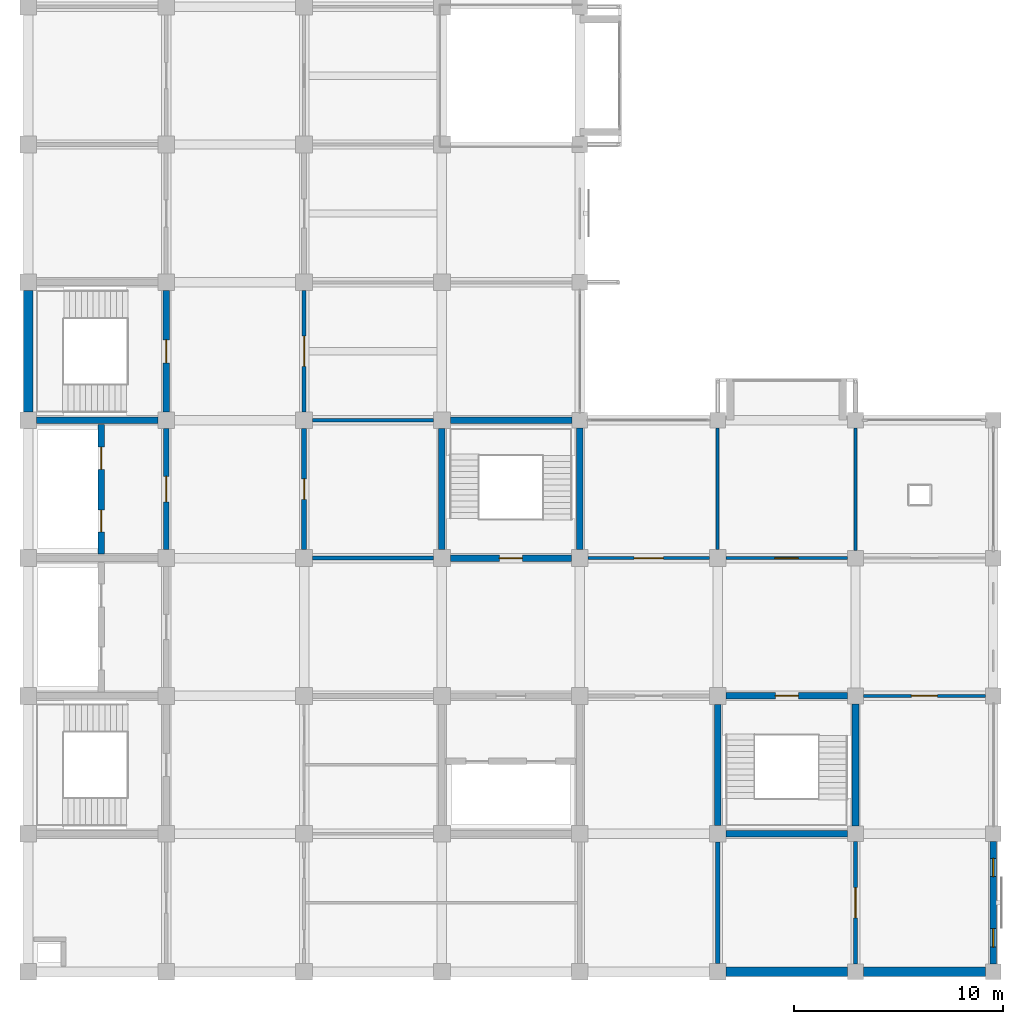
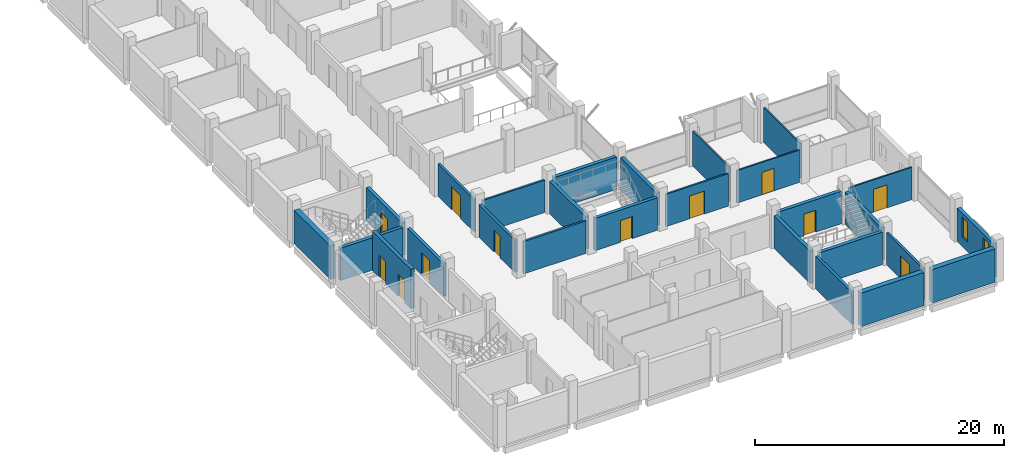
# One storey, part 8 of 14: 27 walls, 12 doors, 2 windows, 14 openings.
"""IFC4 building model written with IfcOpenShell, lengths in metres."""

from ifc_helpers import new_model, si_unit, direction, frame, frame_2d, origin, place, context, subcontext, project, spatial, rectangle, extrude, material, layer, layer_set, type_object, element, fill, save


model = new_model("IFC4")

# Units and contexts
model_context = context("Model", 3, precision=1e-05, world=origin(), true_north=direction((0.0, 1.0)))
body_context = subcontext(model_context, "Body", "Model", "MODEL_VIEW")
ifc_project = project(units=[si_unit("LENGTHUNIT", "METRE"), si_unit("AREAUNIT", "SQUARE_METRE"), si_unit("VOLUMEUNIT", "CUBIC_METRE"), si_unit("PLANEANGLEUNIT", "RADIAN"), si_unit("MASSUNIT", "GRAM", prefix="KILO")], contexts=[model_context])

# Site, building, storey
site_placement = place(None, origin())
site = spatial("IfcSite", under=ifc_project, at=site_placement, CompositionType="ELEMENT")
building_placement = place(site_placement, origin())
building = spatial("IfcBuilding", under=site, at=building_placement, Name="Rusizi Kubbe Research Institute", CompositionType="ELEMENT")
storey_placement = place(building_placement, frame((0.0, 0.0, 31.199951171875)))
storey = spatial("IfcBuildingStorey", under=building, at=storey_placement, Name="L07", CompositionType="ELEMENT", Elevation=31.199951171875)

# Wall
ifc_material_1 = material(Name="Concrete C45/55", Category="concrete")
ifc_layer_1 = layer(ifc_material_1, 0.31494140625)
ifc_layer_set_1 = layer_set([ifc_layer_1], Name="Concrete C45/55")
wall_type_1 = type_object("IfcWallType", Name="CRW-02", PredefinedType="SHEAR", material=ifc_layer_set_1)
wall_1_placement = place(storey_placement, frame((0.39990234375, 26.39990234375, 0.0), z_axis=(0.0, 0.0, 1.0), x_axis=(1.0, 0.0, 0.0)))
element("IfcWall", 1, at=wall_1_placement, inside=storey, type_object=wall_type_1, Name="Stair Core Shear Wall ST2 L07 S", PredefinedType="SHEAR", context=body_context, shape_type="SweptSolid", body=[
    extrude(rectangle(XDim=5.800048828125, YDim=0.31494140625, at=frame_2d((2.89990234375, 0.0))), origin(), (0.0, 0.0, 1.0), 3.179931640625),
])

# Wall, opening, door
wall_2_placement = place(storey_placement, frame((6.60009765625, 26.800048828125, 0.0), z_axis=(0.0, 0.0, 1.0), x_axis=(0.0, 1.0, 0.0)))
wall_2 = element("IfcWall", 2, at=wall_2_placement, inside=storey, type_object=wall_type_1, Name="Stair Core Shear Wall ST2 L07 E", PredefinedType="SHEAR", context=body_context, shape_type="SweptSolid", body=[
    extrude(rectangle(XDim=5.800048828125, YDim=0.31494140625, at=frame_2d((2.89990234375, 0.0))), origin(), (0.0, 0.0, 1.0), 3.179931640625),
])
opening_1_placement = place(wall_2_placement, frame((2.35009765625, 0.0, 0.0)))
opening_1 = element("IfcOpeningElement", 3, at=opening_1_placement, cuts=wall_2, Name="Opening D-01", PredefinedType="OPENING", context=body_context, shape_type="SweptSolid", body=[
    extrude(rectangle(XDim=1.10009765625, YDim=2.14990234375, at=frame_2d((0.550048828125, 1.074951171875))), frame((0.0, 0.16748046875, 0.0), z_axis=(0.0, -1.0, 0.0), x_axis=(1.0, 0.0, 0.0)), (0.0, 0.0, 1.0), 0.3349609375),
])
ifc_material_2 = material(Name="Fire-Rated Steel Frame and Acoustic Timber Leaf", Category="wood")
door_type_1 = type_object("IfcDoorType", Name="ID-STAIR-110", OperationType="NOTDEFINED", PredefinedType="DOOR", material=ifc_material_2)
door_1_placement = place(opening_1_placement, origin())
door_1 = element("IfcDoor", 4, at=door_1_placement, inside=storey, type_object=door_type_1, Name="Exit Stair Door ST2 L07", OperationType="SINGLE_SWING_LEFT", OverallHeight=2.14990234375, OverallWidth=1.10009765625, PredefinedType="DOOR", context=body_context, shape_type="SweptSolid", body=[
    extrude(rectangle(XDim=1.10009765625, YDim=2.14990234375, at=frame_2d((0.550048828125, 1.074951171875))), frame((0.0, 0.02490234375, 0.0), z_axis=(0.0, -1.0, 0.0), x_axis=(1.0, 0.0, 0.0)), (0.0, 0.0, 1.0), 0.050048828125),
])
fill(opening_1, door_1)

wall_3_placement = place(storey_placement, frame((20.199951171875, 19.800048828125, 0.0), z_axis=(0.0, 0.0, 1.0), x_axis=(1.0, 0.0, 0.0)))
wall_3 = element("IfcWall", 5, at=wall_3_placement, inside=storey, type_object=wall_type_1, Name="Stair Core Shear Wall ST3 L07 S", PredefinedType="SHEAR", context=body_context, shape_type="SweptSolid", body=[
    extrude(rectangle(XDim=5.800048828125, YDim=0.31494140625, at=frame_2d((2.89990234375, 0.0))), origin(), (0.0, 0.0, 1.0), 3.179931640625),
])
opening_2_placement = place(wall_3_placement, frame((2.35009765625, 0.0, 0.0)))
opening_2 = element("IfcOpeningElement", 6, at=opening_2_placement, cuts=wall_3, Name="Opening D-01", PredefinedType="OPENING", context=body_context, shape_type="SweptSolid", body=[
    extrude(rectangle(XDim=1.10009765625, YDim=2.14990234375, at=frame_2d((0.550048828125, 1.074951171875))), frame((0.0, 0.16748046875, 0.0), z_axis=(0.0, -1.0, 0.0), x_axis=(1.0, 0.0, 0.0)), (0.0, 0.0, 1.0), 0.3349609375),
])
door_2_placement = place(opening_2_placement, origin())
door_2 = element("IfcDoor", 7, at=door_2_placement, inside=storey, type_object=door_type_1, Name="Exit Stair Door ST3 L07", OperationType="SINGLE_SWING_LEFT", OverallHeight=2.14990234375, OverallWidth=1.10009765625, PredefinedType="DOOR", context=body_context, shape_type="SweptSolid", body=[
    extrude(rectangle(XDim=1.10009765625, YDim=2.14990234375, at=frame_2d((0.550048828125, 1.074951171875))), frame((0.0, 0.02490234375, 0.0), z_axis=(0.0, -1.0, 0.0), x_axis=(1.0, 0.0, 0.0)), (0.0, 0.0, 1.0), 0.050048828125),
])
fill(opening_2, door_2)

# Walls
wall_4_placement = place(storey_placement, frame((20.199951171875, 26.39990234375, 0.0), z_axis=(0.0, 0.0, 1.0), x_axis=(1.0, 0.0, 0.0)))
element("IfcWall", 8, at=wall_4_placement, inside=storey, type_object=wall_type_1, Name="Stair Core Shear Wall ST3 L07 N", PredefinedType="SHEAR", context=body_context, shape_type="SweptSolid", body=[
    extrude(rectangle(XDim=5.824951171875, YDim=0.31494140625, at=frame_2d((2.91259765625, 0.0))), origin(), (0.0, 0.0, 1.0), 3.179931640625),
])
wall_5_placement = place(storey_placement, frame((19.800048828125, 20.199951171875, 0.0), z_axis=(0.0, 0.0, 1.0), x_axis=(0.0, 1.0, 0.0)))
element("IfcWall", 9, at=wall_5_placement, inside=storey, type_object=wall_type_1, Name="Stair Core Shear Wall ST3 L07 W", PredefinedType="SHEAR", context=body_context, shape_type="SweptSolid", body=[
    extrude(rectangle(XDim=5.800048828125, YDim=0.31494140625, at=frame_2d((2.89990234375, 0.0))), origin(), (0.0, 0.0, 1.0), 3.179931640625),
])
wall_6_placement = place(storey_placement, frame((26.39990234375, 20.199951171875, 0.0), z_axis=(0.0, 0.0, 1.0), x_axis=(0.0, 1.0, 0.0)))
element("IfcWall", 10, at=wall_6_placement, inside=storey, type_object=wall_type_1, Name="Stair Core Shear Wall ST3 L07 E", PredefinedType="SHEAR", context=body_context, shape_type="SweptSolid", body=[
    extrude(rectangle(XDim=5.824951171875, YDim=0.31494140625, at=frame_2d((2.91259765625, 0.0))), origin(), (0.0, 0.0, 1.0), 3.179931640625),
])
wall_7_placement = place(storey_placement, frame((33.39990234375, 6.60009765625, 0.0), z_axis=(0.0, 0.0, 1.0), x_axis=(1.0, 0.0, 0.0)))
element("IfcWall", 11, at=wall_7_placement, inside=storey, type_object=wall_type_1, Name="Stair Core Shear Wall ST4 L07 S", PredefinedType="SHEAR", context=body_context, shape_type="SweptSolid", body=[
    extrude(rectangle(XDim=5.8251953125, YDim=0.31494140625, at=frame_2d((2.91259765625, 0.0))), origin(), (0.0, 0.0, 1.0), 3.179931640625),
])

# Wall, opening, door
wall_8_placement = place(storey_placement, frame((33.39990234375, 13.199951171875, 0.0), z_axis=(0.0, 0.0, 1.0), x_axis=(1.0, 0.0, 0.0)))
wall_8 = element("IfcWall", 12, at=wall_8_placement, inside=storey, type_object=wall_type_1, Name="Stair Core Shear Wall ST4 L07 N", PredefinedType="SHEAR", context=body_context, shape_type="SweptSolid", body=[
    extrude(rectangle(XDim=5.8251953125, YDim=0.31494140625, at=frame_2d((2.91259765625, 0.0))), origin(), (0.0, 0.0, 1.0), 3.179931640625),
])
opening_3_placement = place(wall_8_placement, frame((2.362548828125, 0.0, 0.0)))
opening_3 = element("IfcOpeningElement", 13, at=opening_3_placement, cuts=wall_8, Name="Opening D-01", PredefinedType="OPENING", context=body_context, shape_type="SweptSolid", body=[
    extrude(rectangle(XDim=1.10009765625, YDim=2.14990234375, at=frame_2d((0.550048828125, 1.074951171875))), frame((0.0, 0.16748046875, 0.0), z_axis=(0.0, -1.0, 0.0), x_axis=(1.0, 0.0, 0.0)), (0.0, 0.0, 1.0), 0.3349609375),
])
door_3_placement = place(opening_3_placement, origin())
door_3 = element("IfcDoor", 14, at=door_3_placement, inside=storey, type_object=door_type_1, Name="Exit Stair Door ST4 L07", OperationType="SINGLE_SWING_LEFT", OverallHeight=2.14990234375, OverallWidth=1.10009765625, PredefinedType="DOOR", context=body_context, shape_type="SweptSolid", body=[
    extrude(rectangle(XDim=1.10009765625, YDim=2.14990234375, at=frame_2d((0.550048828125, 1.074951171875))), frame((0.0, 0.02490234375, 0.0), z_axis=(0.0, -1.0, 0.0), x_axis=(1.0, 0.0, 0.0)), (0.0, 0.0, 1.0), 0.050048828125),
])
fill(opening_3, door_3)

# Walls
wall_9_placement = place(storey_placement, frame((33.0, 7.0, 0.0), z_axis=(0.0, 0.0, 1.0), x_axis=(0.0, 1.0, 0.0)))
element("IfcWall", 15, at=wall_9_placement, inside=storey, type_object=wall_type_1, Name="Stair Core Shear Wall ST4 L07 W", PredefinedType="SHEAR", context=body_context, shape_type="SweptSolid", body=[
    extrude(rectangle(XDim=5.800048828125, YDim=0.31494140625, at=frame_2d((2.89990234375, 0.0))), origin(), (0.0, 0.0, 1.0), 3.179931640625),
])
wall_10_placement = place(storey_placement, frame((39.60009765625, 6.97509765625, 0.0), z_axis=(0.0, 0.0, 1.0), x_axis=(0.0, 1.0, 0.0)))
element("IfcWall", 16, at=wall_10_placement, inside=storey, type_object=wall_type_1, Name="Stair Core Shear Wall ST4 L07 E", PredefinedType="SHEAR", context=body_context, shape_type="SweptSolid", body=[
    extrude(rectangle(XDim=5.849853515625, YDim=0.31494140625, at=frame_2d((2.9248046875, 0.0))), origin(), (0.0, 0.0, 1.0), 3.179931640625),
])

# Wall, openings, doors
wall_11_placement = place(storey_placement, frame((3.47998046875, 20.0, 0.0), z_axis=(0.0, 0.0, 1.0), x_axis=(0.0, 1.0, 0.0)))
wall_11 = element("IfcWall", 17, at=wall_11_placement, inside=storey, type_object=wall_type_1, Name="Passenger Lift Shaft Front Wall L07", PredefinedType="SHEAR", context=body_context, shape_type="SweptSolid", body=[
    extrude(rectangle(XDim=6.199951171875, YDim=0.31494140625, at=frame_2d((3.10009765625, 0.0))), origin(), (0.0, 0.0, 1.0), 3.880126953125),
])
opening_4_placement = place(wall_11_placement, frame((1.050048828125, 0.0, 0.0)))
opening_4 = element("IfcOpeningElement", 18, at=opening_4_placement, cuts=wall_11, Name="Opening LD-03", PredefinedType="OPENING", context=body_context, shape_type="SweptSolid", body=[
    extrude(rectangle(XDim=1.050048828125, YDim=2.14990234375, at=frame_2d((0.52490234375, 1.074951171875))), frame((0.0, 0.16748046875, 0.0), z_axis=(0.0, -1.0, 0.0), x_axis=(1.0, 0.0, 0.0)), (0.0, 0.0, 1.0), 0.3349609375),
])
opening_5_placement = place(wall_11_placement, frame((4.050048828125, 0.0, 0.0)))
opening_5 = element("IfcOpeningElement", 19, at=opening_5_placement, cuts=wall_11, Name="Opening LD-04", PredefinedType="OPENING", context=body_context, shape_type="SweptSolid", body=[
    extrude(rectangle(XDim=1.06005859375, YDim=2.14990234375, at=frame_2d((0.530029296875, 1.074951171875))), frame((0.0, 0.16748046875, 0.0), z_axis=(0.0, -1.0, 0.0), x_axis=(1.0, 0.0, 0.0)), (0.0, 0.0, 1.0), 0.3349609375),
])
ifc_material_3 = material(Name="Brushed Stainless Steel Sliding Door", Category="steel")
door_type_2 = type_object("IfcDoorType", Name="LD-03", OperationType="DOUBLE_DOOR_SLIDING", PredefinedType="USERDEFINED", material=ifc_material_3)
door_4_placement = place(opening_4_placement, origin())
door_4 = element("IfcDoor", 20, at=door_4_placement, inside=storey, type_object=door_type_2, Name="Lift Landing Sliding Door LP1 L07", ObjectType="SLIDING DOOR", OperationType="DOUBLE_DOOR_SLIDING", OverallHeight=2.14990234375, OverallWidth=1.050048828125, PredefinedType="USERDEFINED", context=body_context, shape_type="SweptSolid", body=[
    extrude(rectangle(XDim=1.050048828125, YDim=2.14990234375, at=frame_2d((0.52490234375, 1.074951171875))), frame((0.0, 0.02490234375, 0.0), z_axis=(0.0, -1.0, 0.0), x_axis=(1.0, 0.0, 0.0)), (0.0, 0.0, 1.0), 0.050048828125),
])
fill(opening_4, door_4)
ifc_material_4 = material(Name="Brushed Stainless Steel Sliding Door", Category="steel")
door_type_3 = type_object("IfcDoorType", Name="LD-04", OperationType="DOUBLE_DOOR_SLIDING", PredefinedType="USERDEFINED", material=ifc_material_4)
door_5_placement = place(opening_5_placement, origin())
door_5 = element("IfcDoor", 21, at=door_5_placement, inside=storey, type_object=door_type_3, Name="Lift Landing Sliding Door LP2 L07", ObjectType="SLIDING DOOR", OperationType="DOUBLE_DOOR_SLIDING", OverallHeight=2.14990234375, OverallWidth=1.06005859375, PredefinedType="USERDEFINED", context=body_context, shape_type="SweptSolid", body=[
    extrude(rectangle(XDim=1.06005859375, YDim=2.14990234375, at=frame_2d((0.530029296875, 1.074951171875))), frame((0.0, 0.02490234375, 0.0), z_axis=(0.0, -1.0, 0.0), x_axis=(1.0, 0.0, 0.0)), (0.0, 0.0, 1.0), 0.050048828125),
])
fill(opening_5, door_5)

# Wall, openings, windows
ifc_material_5 = material(Name="Volcanic Basalt Ashlar Masonry", Category="masonry")
ifc_layer_2 = layer(ifc_material_5, 0.324951171875)
ifc_layer_set_2 = layer_set([ifc_layer_2], Name="Volcanic Basalt Ashlar Masonry")
wall_type_2 = type_object("IfcWallType", Name="EW-08", PredefinedType="SOLIDWALL", material=ifc_layer_set_2)
wall_12_placement = place(storey_placement, frame((46.199951171875, 0.375, 0.0), z_axis=(0.0, 0.0, 1.0), x_axis=(0.0, 1.0, 0.0)))
wall_12 = element("IfcWall", 22, at=wall_12_placement, inside=storey, type_object=wall_type_2, Name="Ablaq Stone Exterior Wall L07 V7-0", PredefinedType="SOLIDWALL", context=body_context, shape_type="SweptSolid", body=[
    extrude(rectangle(XDim=5.85009765625, YDim=0.324951171875, at=frame_2d((2.925048828125, 0.0))), origin(), (0.0, 0.0, 1.0), 3.280029296875),
])
opening_6_placement = place(wall_12_placement, frame((0.800048828125, 0.0, 0.949951171875)))
opening_6 = element("IfcOpeningElement", 23, at=opening_6_placement, cuts=wall_12, Name="Opening WN-04", PredefinedType="OPENING", context=body_context, shape_type="SweptSolid", body=[
    extrude(rectangle(XDim=0.8798828125, YDim=1.9599609375, at=frame_2d((0.43994140625, 0.97998046875))), frame((0.0, 0.17236328125, 0.0), z_axis=(0.0, -1.0, 0.0), x_axis=(1.0, 0.0, 0.0)), (0.0, 0.0, 1.0), 0.344970703125),
])
opening_7_placement = place(wall_12_placement, frame((4.169921875, 0.0, 0.949951171875)))
opening_7 = element("IfcOpeningElement", 24, at=opening_7_placement, cuts=wall_12, Name="Opening WN-04", PredefinedType="OPENING", context=body_context, shape_type="SweptSolid", body=[
    extrude(rectangle(XDim=0.8798828125, YDim=1.9599609375, at=frame_2d((0.43994140625, 0.97998046875))), frame((0.0, 0.17236328125, 0.0), z_axis=(0.0, -1.0, 0.0), x_axis=(1.0, 0.0, 0.0)), (0.0, 0.0, 1.0), 0.344970703125),
])
ifc_material_6 = material(Name="Aluminium Frame and Solar-Control Double Glazing", Category="glass")
window_type = type_object("IfcWindowType", Name="WN-04", PartitioningType="SINGLE_PANEL", PredefinedType="WINDOW", material=ifc_material_6)
window_1_placement = place(opening_6_placement, origin())
window_1 = element("IfcWindow", 25, at=window_1_placement, inside=storey, type_object=window_type, Name="Casement Window WN-04 L07", OverallHeight=1.9599609375, OverallWidth=0.8798828125, PartitioningType="SINGLE_PANEL", PredefinedType="WINDOW", context=body_context, shape_type="SweptSolid", body=[
    extrude(rectangle(XDim=0.8798828125, YDim=1.9599609375, at=frame_2d((0.43994140625, 0.97998046875))), frame((0.0, 0.030029296875, 0.0), z_axis=(0.0, -1.0, 0.0), x_axis=(1.0, 0.0, 0.0)), (0.0, 0.0, 1.0), 0.06005859375),
])
fill(opening_6, window_1)
window_2_placement = place(opening_7_placement, origin())
window_2 = element("IfcWindow", 26, at=window_2_placement, inside=storey, type_object=window_type, Name="Casement Window WN-04 L07", OverallHeight=1.9599609375, OverallWidth=0.8798828125, PartitioningType="SINGLE_PANEL", PredefinedType="WINDOW", context=body_context, shape_type="SweptSolid", body=[
    extrude(rectangle(XDim=0.8798828125, YDim=1.9599609375, at=frame_2d((0.43994140625, 0.97998046875))), frame((0.0, 0.030029296875, 0.0), z_axis=(0.0, -1.0, 0.0), x_axis=(1.0, 0.0, 0.0)), (0.0, 0.0, 1.0), 0.06005859375),
])
fill(opening_7, window_2)

# Wall, opening, door
ifc_material_7 = material(Name="Concrete Blockwork Fire Partition", Category="masonry")
ifc_layer_3 = layer(ifc_material_7, 0.22509765625)
ifc_layer_set_3 = layer_set([ifc_layer_3], Name="Concrete Blockwork Fire Partition")
wall_type_3 = type_object("IfcWallType", Name="IW-01", PredefinedType="PARTITIONING", material=ifc_layer_set_3)
wall_13_placement = place(storey_placement, frame((13.199951171875, 20.199951171875, 0.0), z_axis=(0.0, 0.0, 1.0), x_axis=(0.0, 1.0, 0.0)))
wall_13 = element("IfcWall", 27, at=wall_13_placement, inside=storey, type_object=wall_type_3, Name="Interior Partition Wall L07 V2-3", PredefinedType="PARTITIONING", context=body_context, shape_type="SweptSolid", body=[
    extrude(rectangle(XDim=5.800048828125, YDim=0.22509765625, at=frame_2d((2.89990234375, 0.0))), origin(), (0.0, 0.0, 1.0), 3.179931640625),
])
opening_8_placement = place(wall_13_placement, frame((2.409912109375, 0.0, 0.0)))
opening_8 = element("IfcOpeningElement", 28, at=opening_8_placement, cuts=wall_13, Name="Opening D-20", PredefinedType="OPENING", context=body_context, shape_type="SweptSolid", body=[
    extrude(rectangle(XDim=0.97998046875, YDim=2.14990234375, at=frame_2d((0.489990234375, 1.074951171875))), frame((0.0, 0.12255859375, 0.0), z_axis=(0.0, -1.0, 0.0), x_axis=(1.0, 0.0, 0.0)), (0.0, 0.0, 1.0), 0.2451171875),
])
ifc_material_8 = material(Name="Fire-Rated Steel Frame and Acoustic Timber Leaf", Category="wood")
door_type_4 = type_object("IfcDoorType", Name="ID-OFF-980", OperationType="NOTDEFINED", PredefinedType="DOOR", material=ifc_material_8)
door_6_placement = place(opening_8_placement, origin())
door_6 = element("IfcDoor", 29, at=door_6_placement, inside=storey, type_object=door_type_4, Name="Door to Write-up Office (L07-NW-01)", OperationType="SINGLE_SWING_LEFT", OverallHeight=2.14990234375, OverallWidth=0.97998046875, PredefinedType="DOOR", context=body_context, shape_type="SweptSolid", body=[
    extrude(rectangle(XDim=0.97998046875, YDim=2.14990234375, at=frame_2d((0.489990234375, 1.074951171875))), frame((0.0, 0.02490234375, 0.0), z_axis=(0.0, -1.0, 0.0), x_axis=(1.0, 0.0, 0.0)), (0.0, 0.0, 1.0), 0.050048828125),
])
fill(opening_8, door_6)

# Wall
wall_14_placement = place(storey_placement, frame((33.0, 0.39990234375, 0.0), z_axis=(0.0, 0.0, 1.0), x_axis=(0.0, 1.0, 0.0)))
element("IfcWall", 30, at=wall_14_placement, inside=storey, type_object=wall_type_3, Name="Interior Partition Wall L07 V5-0", PredefinedType="PARTITIONING", context=body_context, shape_type="SweptSolid", body=[
    extrude(rectangle(XDim=5.800048828125, YDim=0.22509765625, at=frame_2d((2.89990234375, 0.0))), origin(), (0.0, 0.0, 1.0), 3.179931640625),
])

# Wall, opening, door
ifc_material_9 = material(Name="Insulated Cleanroom Partition", Category="masonry")
ifc_layer_4 = layer(ifc_material_9, 0.195068359375)
ifc_layer_set_4 = layer_set([ifc_layer_4], Name="Insulated Cleanroom Partition")
wall_type_4 = type_object("IfcWallType", Name="IW-02", PredefinedType="PARTITIONING", material=ifc_layer_set_4)
wall_15_placement = place(storey_placement, frame((13.199951171875, 26.800048828125, 0.0), z_axis=(0.0, 0.0, 1.0), x_axis=(0.0, 1.0, 0.0)))
wall_15 = element("IfcWall", 31, at=wall_15_placement, inside=storey, type_object=wall_type_4, Name="Interior Partition Wall L07 V2-4", PredefinedType="PARTITIONING", context=body_context, shape_type="SweptSolid", body=[
    extrude(rectangle(XDim=5.800048828125, YDim=0.195068359375, at=frame_2d((2.89990234375, 0.0))), origin(), (0.0, 0.0, 1.0), 3.179931640625),
])
opening_9_placement = place(wall_15_placement, frame((2.175048828125, 0.0, 0.0)))
opening_9 = element("IfcOpeningElement", 32, at=opening_9_placement, cuts=wall_15, Name="Opening D-11", PredefinedType="OPENING", context=body_context, shape_type="SweptSolid", body=[
    extrude(rectangle(XDim=1.449951171875, YDim=2.25, at=frame_2d((0.72509765625, 1.125))), frame((0.0, 0.107421875, 0.0), z_axis=(0.0, -1.0, 0.0), x_axis=(1.0, 0.0, 0.0)), (0.0, 0.0, 1.0), 0.215087890625),
])
ifc_material_10 = material(Name="Fire-Rated Steel Frame and Acoustic Timber Leaf", Category="wood")
door_type_5 = type_object("IfcDoorType", Name="ID-LAB-145", OperationType="NOTDEFINED", PredefinedType="DOOR", material=ifc_material_10)
door_7_placement = place(opening_9_placement, origin())
door_7 = element("IfcDoor", 33, at=door_7_placement, inside=storey, type_object=door_type_5, Name="Door to Bioscience Wet Laboratory (L07-NW-02)", OperationType="SINGLE_SWING_LEFT", OverallHeight=2.25, OverallWidth=1.449951171875, PredefinedType="DOOR", context=body_context, shape_type="SweptSolid", body=[
    extrude(rectangle(XDim=1.449951171875, YDim=2.25, at=frame_2d((0.72509765625, 1.125))), frame((0.0, 0.02490234375, 0.0), z_axis=(0.0, -1.0, 0.0), x_axis=(1.0, 0.0, 0.0)), (0.0, 0.0, 1.0), 0.050048828125),
])
fill(opening_9, door_7)

# Wall
wall_16_placement = place(storey_placement, frame((13.60009765625, 19.800048828125, 0.0), z_axis=(0.0, 0.0, 1.0), x_axis=(1.0, 0.0, 0.0)))
element("IfcWall", 34, at=wall_16_placement, inside=storey, type_object=wall_type_4, Name="Interior Partition Wall L07 H2-3", PredefinedType="PARTITIONING", context=body_context, shape_type="SweptSolid", body=[
    extrude(rectangle(XDim=5.7998046875, YDim=0.195068359375, at=frame_2d((2.89990234375, 0.0))), origin(), (0.0, 0.0, 1.0), 3.179931640625),
])

# Wall, opening, door
wall_17_placement = place(storey_placement, frame((39.60009765625, 0.375, 0.0), z_axis=(0.0, 0.0, 1.0), x_axis=(0.0, 1.0, 0.0)))
wall_17 = element("IfcWall", 35, at=wall_17_placement, inside=storey, type_object=wall_type_4, Name="Interior Partition Wall L07 V6-0", PredefinedType="PARTITIONING", context=body_context, shape_type="SweptSolid", body=[
    extrude(rectangle(XDim=5.85009765625, YDim=0.195068359375, at=frame_2d((2.925048828125, 0.0))), origin(), (0.0, 0.0, 1.0), 3.179931640625),
])
opening_10_placement = place(wall_17_placement, frame((2.199951171875, 0.0, 0.0)))
opening_10 = element("IfcOpeningElement", 36, at=opening_10_placement, cuts=wall_17, Name="Opening D-11", PredefinedType="OPENING", context=body_context, shape_type="SweptSolid", body=[
    extrude(rectangle(XDim=1.449951171875, YDim=2.25, at=frame_2d((0.72509765625, 1.125))), frame((0.0, 0.107421875, 0.0), z_axis=(0.0, -1.0, 0.0), x_axis=(1.0, 0.0, 0.0)), (0.0, 0.0, 1.0), 0.215087890625),
])
door_8_placement = place(opening_10_placement, origin())
door_8 = element("IfcDoor", 37, at=door_8_placement, inside=storey, type_object=door_type_5, Name="Door to Laboratory Instrument Support Room (L07-EWU-05)", OperationType="SINGLE_SWING_LEFT", OverallHeight=2.25, OverallWidth=1.449951171875, PredefinedType="DOOR", context=body_context, shape_type="SweptSolid", body=[
    extrude(rectangle(XDim=1.449951171875, YDim=2.25, at=frame_2d((0.72509765625, 1.125))), frame((0.0, 0.02490234375, 0.0), z_axis=(0.0, -1.0, 0.0), x_axis=(1.0, 0.0, 0.0)), (0.0, 0.0, 1.0), 0.050048828125),
])
fill(opening_10, door_8)

# Wall
ifc_material_11 = material(Name="Acoustic Laboratory Partition", Category="masonry")
ifc_layer_5 = layer(ifc_material_11, 0.175048828125)
ifc_layer_set_5 = layer_set([ifc_layer_5], Name="Acoustic Laboratory Partition")
wall_type_5 = type_object("IfcWallType", Name="IW-03", PredefinedType="PARTITIONING", material=ifc_layer_set_5)
wall_18_placement = place(storey_placement, frame((13.60009765625, 26.39990234375, 0.0), z_axis=(0.0, 0.0, 1.0), x_axis=(1.0, 0.0, 0.0)))
element("IfcWall", 38, at=wall_18_placement, inside=storey, type_object=wall_type_5, Name="Interior Partition Wall L07 H2-4", PredefinedType="PARTITIONING", context=body_context, shape_type="SweptSolid", body=[
    extrude(rectangle(XDim=5.7998046875, YDim=0.175048828125, at=frame_2d((2.89990234375, 0.0))), origin(), (0.0, 0.0, 1.0), 3.179931640625),
])

# Wall, opening, door
ifc_material_12 = material(Name="Fire-Rated Corridor Partition", Category="masonry")
ifc_layer_6 = layer(ifc_material_12, 0.155029296875)
ifc_layer_set_6 = layer_set([ifc_layer_6], Name="Fire-Rated Corridor Partition")
wall_type_6 = type_object("IfcWallType", Name="IW-04", PredefinedType="PARTITIONING", material=ifc_layer_set_6)
wall_19_placement = place(storey_placement, frame((26.800048828125, 19.800048828125, 0.0), z_axis=(0.0, 0.0, 1.0), x_axis=(1.0, 0.0, 0.0)))
wall_19 = element("IfcWall", 39, at=wall_19_placement, inside=storey, type_object=wall_type_6, Name="Interior Partition Wall L07 H4-3", PredefinedType="PARTITIONING", context=body_context, shape_type="SweptSolid", body=[
    extrude(rectangle(XDim=5.800048828125, YDim=0.155029296875, at=frame_2d((2.89990234375, 0.0))), origin(), (0.0, 0.0, 1.0), 3.179931640625),
])
opening_11_placement = place(wall_19_placement, frame((2.199951171875, 0.0, 0.0)))
opening_11 = element("IfcOpeningElement", 40, at=opening_11_placement, cuts=wall_19, Name="Opening D-12", PredefinedType="OPENING", context=body_context, shape_type="SweptSolid", body=[
    extrude(rectangle(XDim=1.39990234375, YDim=2.25, at=frame_2d((0.699951171875, 1.125))), frame((0.0, 0.08740234375, 0.0), z_axis=(0.0, -1.0, 0.0), x_axis=(1.0, 0.0, 0.0)), (0.0, 0.0, 1.0), 0.175048828125),
])
ifc_material_13 = material(Name="Fire-Rated Steel Frame and Acoustic Timber Leaf", Category="wood")
door_type_6 = type_object("IfcDoorType", Name="ID-LAB-140", OperationType="NOTDEFINED", PredefinedType="DOOR", material=ifc_material_13)
door_9_placement = place(opening_11_placement, origin())
door_9 = element("IfcDoor", 41, at=door_9_placement, inside=storey, type_object=door_type_6, Name="Door to Molecular Diagnostics Laboratory (L07-EWN-01)", OperationType="SINGLE_SWING_RIGHT", OverallHeight=2.25, OverallWidth=1.39990234375, PredefinedType="DOOR", context=body_context, shape_type="SweptSolid", body=[
    extrude(rectangle(XDim=1.39990234375, YDim=2.25, at=frame_2d((0.699951171875, 1.125))), frame((0.0, 0.02490234375, 0.0), z_axis=(0.0, -1.0, 0.0), x_axis=(1.0, 0.0, 0.0)), (0.0, 0.0, 1.0), 0.050048828125),
])
fill(opening_11, door_9)

# Wall
wall_20_placement = place(storey_placement, frame((33.0, 20.199951171875, 0.0), z_axis=(0.0, 0.0, 1.0), x_axis=(0.0, 1.0, 0.0)))
element("IfcWall", 42, at=wall_20_placement, inside=storey, type_object=wall_type_6, Name="Interior Partition Wall L07 V5-3", PredefinedType="PARTITIONING", context=body_context, shape_type="SweptSolid", body=[
    extrude(rectangle(XDim=5.824951171875, YDim=0.155029296875, at=frame_2d((2.91259765625, 0.0))), origin(), (0.0, 0.0, 1.0), 3.429931640625),
])

# Wall, opening, door
ifc_material_14 = material(Name="Write-up Glazed Acoustic Partition", Category="masonry")
ifc_layer_7 = layer(ifc_material_14, 0.139892578125)
ifc_layer_set_7 = layer_set([ifc_layer_7], Name="Write-up Glazed Acoustic Partition")
wall_type_7 = type_object("IfcWallType", Name="IW-05", PredefinedType="PARTITIONING", material=ifc_layer_set_7)
wall_21_placement = place(storey_placement, frame((33.39990234375, 19.800048828125, 0.0), z_axis=(0.0, 0.0, 1.0), x_axis=(1.0, 0.0, 0.0)))
wall_21 = element("IfcWall", 43, at=wall_21_placement, inside=storey, type_object=wall_type_7, Name="Interior Partition Wall L07 H5-3", PredefinedType="PARTITIONING", context=body_context, shape_type="SweptSolid", body=[
    extrude(rectangle(XDim=5.8251953125, YDim=0.139892578125, at=frame_2d((2.91259765625, 0.0))), origin(), (0.0, 0.0, 1.0), 3.179931640625),
])
opening_12_placement = place(wall_21_placement, frame((2.340087890625, 0.0, 0.0)))
opening_12 = element("IfcOpeningElement", 44, at=opening_12_placement, cuts=wall_21, Name="Opening D-18", PredefinedType="OPENING", context=body_context, shape_type="SweptSolid", body=[
    extrude(rectangle(XDim=1.1201171875, YDim=2.199951171875, at=frame_2d((0.56005859375, 1.10009765625))), frame((0.0, 0.079833984375, 0.0), z_axis=(0.0, -1.0, 0.0), x_axis=(1.0, 0.0, 0.0)), (0.0, 0.0, 1.0), 0.159912109375),
])
ifc_material_15 = material(Name="Fire-Rated Steel Frame and Acoustic Timber Leaf", Category="wood")
door_type_7 = type_object("IfcDoorType", Name="ID-OFF-112", OperationType="NOTDEFINED", PredefinedType="DOOR", material=ifc_material_15)
door_10_placement = place(opening_12_placement, origin())
door_10 = element("IfcDoor", 45, at=door_10_placement, inside=storey, type_object=door_type_7, Name="Door to Write-up Office (L07-EWN-02)", OperationType="SINGLE_SWING_LEFT", OverallHeight=2.199951171875, OverallWidth=1.1201171875, PredefinedType="DOOR", context=body_context, shape_type="SweptSolid", body=[
    extrude(rectangle(XDim=1.1201171875, YDim=2.199951171875, at=frame_2d((0.56005859375, 1.10009765625))), frame((0.0, 0.02490234375, 0.0), z_axis=(0.0, -1.0, 0.0), x_axis=(1.0, 0.0, 0.0)), (0.0, 0.0, 1.0), 0.050048828125),
])
fill(opening_12, door_10)

# Wall
wall_22_placement = place(storey_placement, frame((39.60009765625, 20.175048828125, 0.0), z_axis=(0.0, 0.0, 1.0), x_axis=(0.0, 1.0, 0.0)))
element("IfcWall", 46, at=wall_22_placement, inside=storey, type_object=wall_type_7, Name="Interior Partition Wall L07 V6-3", PredefinedType="PARTITIONING", context=body_context, shape_type="SweptSolid", body=[
    extrude(rectangle(XDim=5.849853515625, YDim=0.139892578125, at=frame_2d((2.9248046875, 0.0))), origin(), (0.0, 0.0, 1.0), 3.429931640625),
])

# Wall, opening, door
wall_23_placement = place(storey_placement, frame((39.97509765625, 13.199951171875, 0.0), z_axis=(0.0, 0.0, 1.0), x_axis=(1.0, 0.0, 0.0)))
wall_23 = element("IfcWall", 47, at=wall_23_placement, inside=storey, type_object=wall_type_7, Name="Interior Partition Wall L07 H6-2", PredefinedType="PARTITIONING", context=body_context, shape_type="SweptSolid", body=[
    extrude(rectangle(XDim=5.849853515625, YDim=0.139892578125, at=frame_2d((2.9248046875, 0.0))), origin(), (0.0, 0.0, 1.0), 3.179931640625),
])
opening_13_placement = place(wall_23_placement, frame((2.300048828125, 0.0, 0.0)))
opening_13 = element("IfcOpeningElement", 48, at=opening_13_placement, cuts=wall_23, Name="Opening D-15", PredefinedType="OPENING", context=body_context, shape_type="SweptSolid", body=[
    extrude(rectangle(XDim=1.25, YDim=2.25, at=frame_2d((0.625, 1.125))), frame((0.0, 0.079833984375, 0.0), z_axis=(0.0, -1.0, 0.0), x_axis=(1.0, 0.0, 0.0)), (0.0, 0.0, 1.0), 0.159912109375),
])
ifc_material_16 = material(Name="Fire-Rated Steel Frame and Acoustic Timber Leaf", Category="wood")
door_type_8 = type_object("IfcDoorType", Name="ID-LAB-125", OperationType="NOTDEFINED", PredefinedType="DOOR", material=ifc_material_16)
door_11_placement = place(opening_13_placement, origin())
door_11 = element("IfcDoor", 49, at=door_11_placement, inside=storey, type_object=door_type_8, Name="Door to Catalysis Wet Laboratory (L07-EWS-02)", OperationType="SINGLE_SWING_LEFT", OverallHeight=2.25, OverallWidth=1.25, PredefinedType="DOOR", context=body_context, shape_type="SweptSolid", body=[
    extrude(rectangle(XDim=1.25, YDim=2.25, at=frame_2d((0.625, 1.125))), frame((0.0, 0.02490234375, 0.0), z_axis=(0.0, -1.0, 0.0), x_axis=(1.0, 0.0, 0.0)), (0.0, 0.0, 1.0), 0.050048828125),
])
fill(opening_13, door_11)

# Walls
ifc_material_17 = material(Name="Concrete C40/50", Category="concrete")
ifc_layer_8 = layer(ifc_material_17, 0.4599609375)
ifc_layer_set_8 = layer_set([ifc_layer_8], Name="Concrete C40/50")
wall_type_8 = type_object("IfcWallType", Name="PW-02", PredefinedType="SOLIDWALL", material=ifc_layer_set_8)
wall_24_placement = place(storey_placement, frame((0.0, 26.800048828125, 0.0), z_axis=(0.0, 0.0, 1.0), x_axis=(0.0, 1.0, 0.0)))
element("IfcWall", 50, at=wall_24_placement, inside=storey, type_object=wall_type_8, Name="Blind Party Wall L07 V0-4", PredefinedType="SOLIDWALL", context=body_context, shape_type="SweptSolid", body=[
    extrude(rectangle(XDim=5.800048828125, YDim=0.4599609375, at=frame_2d((2.89990234375, 0.0))), origin(), (0.0, 0.0, 1.0), 3.280029296875),
])
wall_25_placement = place(storey_placement, frame((33.39990234375, 0.0, 0.0), z_axis=(0.0, 0.0, 1.0), x_axis=(1.0, 0.0, 0.0)))
element("IfcWall", 51, at=wall_25_placement, inside=storey, type_object=wall_type_8, Name="Blind Party Wall L07 H5-0", PredefinedType="SOLIDWALL", context=body_context, shape_type="SweptSolid", body=[
    extrude(rectangle(XDim=5.8251953125, YDim=0.4599609375, at=frame_2d((2.91259765625, 0.0))), origin(), (0.0, 0.0, 1.0), 3.280029296875),
])
wall_26_placement = place(storey_placement, frame((39.97509765625, 0.0, 0.0), z_axis=(0.0, 0.0, 1.0), x_axis=(1.0, 0.0, 0.0)))
element("IfcWall", 52, at=wall_26_placement, inside=storey, type_object=wall_type_8, Name="Blind Party Wall L07 H6-0", PredefinedType="SOLIDWALL", context=body_context, shape_type="SweptSolid", body=[
    extrude(rectangle(XDim=5.849853515625, YDim=0.4599609375, at=frame_2d((2.9248046875, 0.0))), origin(), (0.0, 0.0, 1.0), 3.280029296875),
])

# Wall, opening, door
ifc_material_18 = material(Name="Concrete C40/50", Category="concrete")
ifc_layer_9 = layer(ifc_material_18, 0.27490234375)
ifc_layer_set_9 = layer_set([ifc_layer_9], Name="Concrete C40/50")
wall_type_9 = type_object("IfcWallType", Name="SHW-01", PredefinedType="SHEAR", material=ifc_layer_set_9)
wall_27_placement = place(storey_placement, frame((6.60009765625, 20.199951171875, 0.0), z_axis=(0.0, 0.0, 1.0), x_axis=(0.0, 1.0, 0.0)))
wall_27 = element("IfcWall", 53, at=wall_27_placement, inside=storey, type_object=wall_type_9, Name="Passenger Lift Lobby Wall L07", PredefinedType="SHEAR", context=body_context, shape_type="SweptSolid", body=[
    extrude(rectangle(XDim=5.800048828125, YDim=0.27490234375, at=frame_2d((2.89990234375, 0.0))), origin(), (0.0, 0.0, 1.0), 3.179931640625),
])
opening_14_placement = place(wall_27_placement, frame((2.2900390625, 0.0, 0.0)))
opening_14 = element("IfcOpeningElement", 54, at=opening_14_placement, cuts=wall_27, Name="Opening D-21", PredefinedType="OPENING", context=body_context, shape_type="SweptSolid", body=[
    extrude(rectangle(XDim=1.219970703125, YDim=2.14990234375, at=frame_2d((0.60986328125, 1.074951171875))), frame((0.0, 0.1474609375, 0.0), z_axis=(0.0, -1.0, 0.0), x_axis=(1.0, 0.0, 0.0)), (0.0, 0.0, 1.0), 0.294921875),
])
ifc_material_19 = material(Name="Fire-Rated Steel Frame and Acoustic Timber Leaf", Category="wood")
door_type_9 = type_object("IfcDoorType", Name="ID-STR-122", OperationType="NOTDEFINED", PredefinedType="DOOR", material=ifc_material_19)
door_12_placement = place(opening_14_placement, origin())
door_12 = element("IfcDoor", 55, at=door_12_placement, inside=storey, type_object=door_type_9, Name="Door to Passenger Lift Lobby (L07-LBY-01)", OperationType="SINGLE_SWING_RIGHT", OverallHeight=2.14990234375, OverallWidth=1.219970703125, PredefinedType="DOOR", context=body_context, shape_type="SweptSolid", body=[
    extrude(rectangle(XDim=1.219970703125, YDim=2.14990234375, at=frame_2d((0.60986328125, 1.074951171875))), frame((0.0, 0.02490234375, 0.0), z_axis=(0.0, -1.0, 0.0), x_axis=(1.0, 0.0, 0.0)), (0.0, 0.0, 1.0), 0.050048828125),
])
fill(opening_14, door_12)

save(model, "model.ifc")
